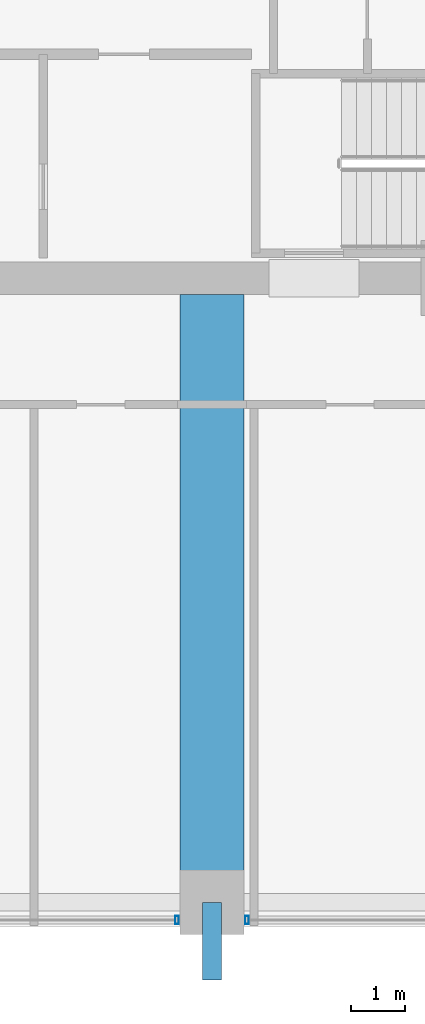
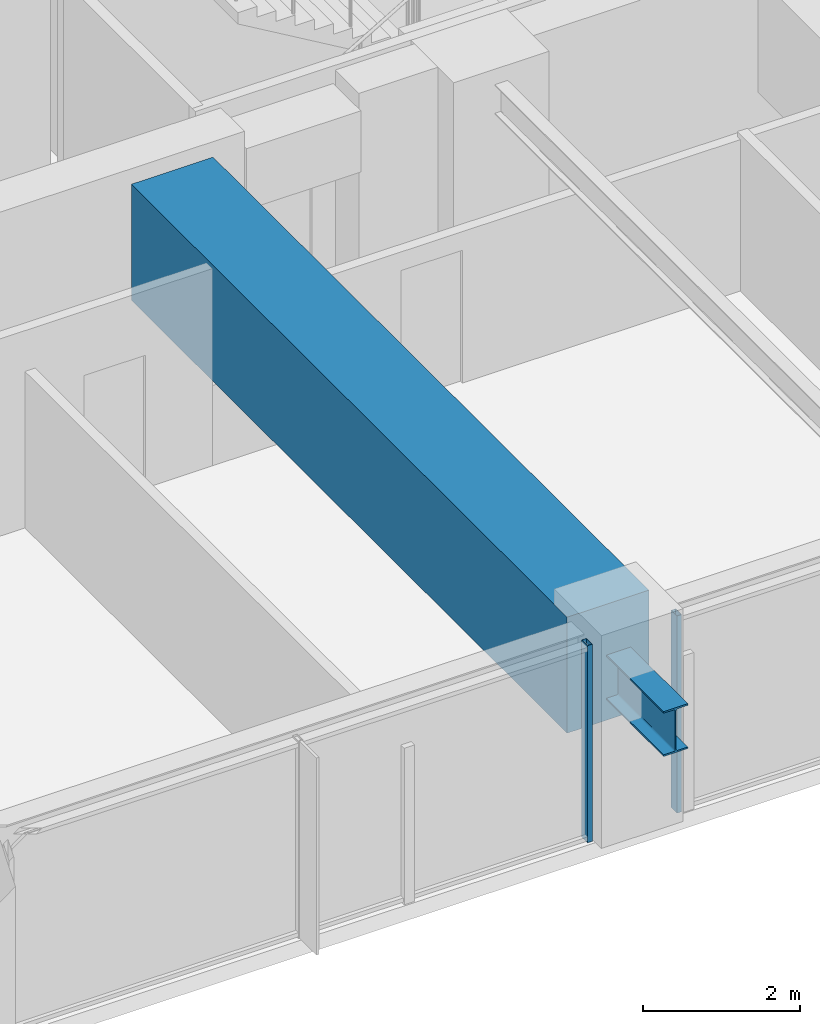
# One storey, part 5 of 39: 2 beams, 2 members, 2 elements without a shape of their own.
"""IFC4 building model written with IfcOpenShell, lengths in metres."""

from ifc_helpers import new_model, si_unit, direction, frame, origin, origin_2d, place, context, subcontext, project, spatial, rectangle, hollow_rectangle, i_section, extrude, material, material_profile, profile_set, type_object, element, aggregate, save


model = new_model("IFC4")

# Units and contexts
model_context = context("Model", 3, precision=1e-05, world=origin(), true_north=direction((0.0, 1.0)))
body_context = subcontext(model_context, "Body", "Model", "MODEL_VIEW")
ifc_project = project(units=[si_unit("LENGTHUNIT", "METRE"), si_unit("AREAUNIT", "SQUARE_METRE"), si_unit("VOLUMEUNIT", "CUBIC_METRE"), si_unit("PLANEANGLEUNIT", "RADIAN"), si_unit("MASSUNIT", "GRAM", prefix="KILO")], contexts=[model_context])

# Site, building, storey
site_placement = place(None, origin())
site = spatial("IfcSite", under=ifc_project, at=site_placement, CompositionType="ELEMENT")
building_placement = place(site_placement, origin())
building = spatial("IfcBuilding", under=site, at=building_placement, Name="Kolvaren Belvedere", CompositionType="ELEMENT")
storey_placement = place(building_placement, frame((0.0, 0.0, 40.300048828125)))
storey = spatial("IfcBuildingStorey", under=building, at=storey_placement, Name="L11", CompositionType="ELEMENT", Elevation=40.300048828125)

# Beams
ifc_material_1 = material(Name="Structural steel ASTM A992 Grade 50", Category="steel")
ifc_material_profile_1 = material_profile(ifc_material_1, i_section(OverallWidth=0.35498046875, OverallDepth=0.696044921875, WebThickness=0.015380859375, FlangeThickness=0.02490234375, FilletRadius=0.02197265625, at=origin_2d()), Name="W27X146")
ifc_profile_set_1 = profile_set([ifc_material_profile_1], Name="Structural steel ASTM A992 Grade 50")
beam_type_1 = type_object("IfcBeamType", Name="BM-CANT-BAL", PredefinedType="BEAM", material=ifc_profile_set_1)
beam_1_placement = place(storey_placement, frame((-4.60009765625, -21.550048828125, 2.141845703125), z_axis=(0.0, -1.0, 0.0), x_axis=(1.0, 0.0, 0.0)))
element("IfcBeam", 1, at=beam_1_placement, inside=storey, type_object=beam_type_1, Name="L11 South Picture-Frame Column Corbel M", PredefinedType="BEAM", context=body_context, shape_type="SweptSolid", body=[
    extrude(i_section(OverallWidth=0.35498046875, OverallDepth=0.696044921875, WebThickness=0.015380859375, FlangeThickness=0.02490234375, FilletRadius=0.02197265625, at=origin_2d()), origin(), (0.0, 0.0, 1.0), 1.449951171875),
])
ifc_material_2 = material(Name="Concrete C50/60", Category="concrete")
ifc_material_profile_2 = material_profile(ifc_material_2, rectangle(XDim=1.199951171875, YDim=1.800048828125, at=origin_2d()), Name="RC 1200X1800")
ifc_profile_set_2 = profile_set([ifc_material_profile_2], Name="Concrete C50/60")
beam_type_2 = type_object("IfcBeamType", Name="BM-TG-1800", PredefinedType="BEAM", material=ifc_profile_set_2)
beam_2_placement = place(storey_placement, frame((-4.60009765625, -10.199951171875, 2.159912109375), z_axis=(0.0, -1.0, 0.0), x_axis=(1.0, 0.0, 0.0)))
element("IfcBeam", 2, at=beam_2_placement, inside=storey, type_object=beam_type_2, Name="L11 South Radial Girder M", PredefinedType="BEAM", context=body_context, shape_type="SweptSolid", body=[
    extrude(rectangle(XDim=1.199951171875, YDim=1.800048828125, at=origin_2d()), origin(), (0.0, 0.0, 1.0), 11.080078125),
])

# Curtain wall, member
ifc_material_3 = material(Name="Anodised pale-metal aluminium AA 6063-T6", Category="aluminium")
curtain_wall_type = type_object("IfcCurtainWallType", Name="CW-Z1-LOW", PredefinedType="NOTDEFINED", material=ifc_material_3)
curtain_wall_1_placement = place(storey_placement, origin())
curtain_wall_1 = element("IfcCurtainWall", 3, at=curtain_wall_1_placement, inside=storey, type_object=curtain_wall_type, Name="L11 Unitised Curtain Wall FCW-L11-S-B2", PredefinedType="NOTDEFINED")
ifc_material_4 = material(Name="Anodised pale-metal aluminium AA 6063-T6", Category="aluminium")
ifc_material_profile_3 = material_profile(ifc_material_4, hollow_rectangle(XDim=0.070068359375, YDim=0.14990234375, WallThickness=0.004150390625, at=origin_2d()), Name="ALU-MUL-150X70")
ifc_profile_set_3 = profile_set([ifc_material_profile_3], Name="Anodised pale-metal aluminium AA 6063-T6")
member_type = type_object("IfcMemberType", Name="CW-MUL-150", PredefinedType="MULLION", material=ifc_profile_set_3)
member_1_placement = place(storey_placement, frame((-3.945068359375, -21.8798828125, 0.0), z_axis=(0.0, 0.0, 1.0), x_axis=(1.0, 0.0, 0.0)))
member_1 = element("IfcMember", 4, at=member_1_placement, type_object=member_type, Name="FCW-L11-S-B2 Unitised Mullion 3", PredefinedType="MULLION", context=body_context, shape_type="SweptSolid", body=[
    extrude(hollow_rectangle(XDim=0.070068359375, YDim=0.14990234375, WallThickness=0.004150390625, at=origin_2d()), origin(), (0.0, 0.0, 1.0), 3.06005859375),
])
aggregate(curtain_wall_1, [member_1])

curtain_wall_2_placement = place(storey_placement, origin())
curtain_wall_2 = element("IfcCurtainWall", 5, at=curtain_wall_2_placement, inside=storey, type_object=curtain_wall_type, Name="L11 Unitised Curtain Wall FCW-L11-S-B3", PredefinedType="NOTDEFINED")
member_2_placement = place(storey_placement, frame((-5.2548828125, -21.8798828125, 0.0), z_axis=(0.0, 0.0, 1.0), x_axis=(1.0, 0.0, 0.0)))
member_2 = element("IfcMember", 6, at=member_2_placement, type_object=member_type, Name="FCW-L11-S-B3 Unitised Mullion 1", PredefinedType="MULLION", context=body_context, shape_type="SweptSolid", body=[
    extrude(hollow_rectangle(XDim=0.070068359375, YDim=0.14990234375, WallThickness=0.004150390625, at=origin_2d()), origin(), (0.0, 0.0, 1.0), 3.06005859375),
])
aggregate(curtain_wall_2, [member_2])

save(model, "model.ifc")
